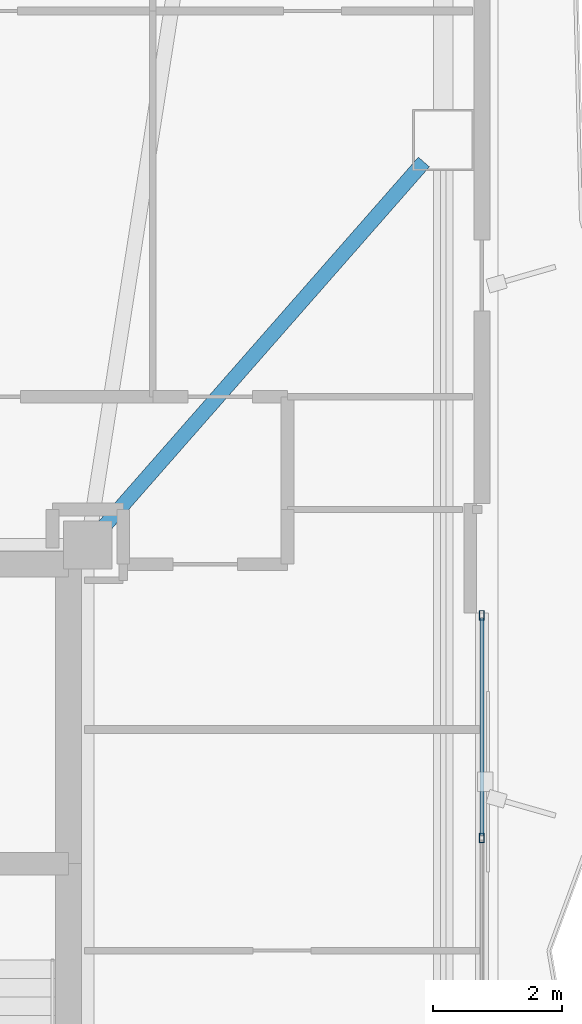
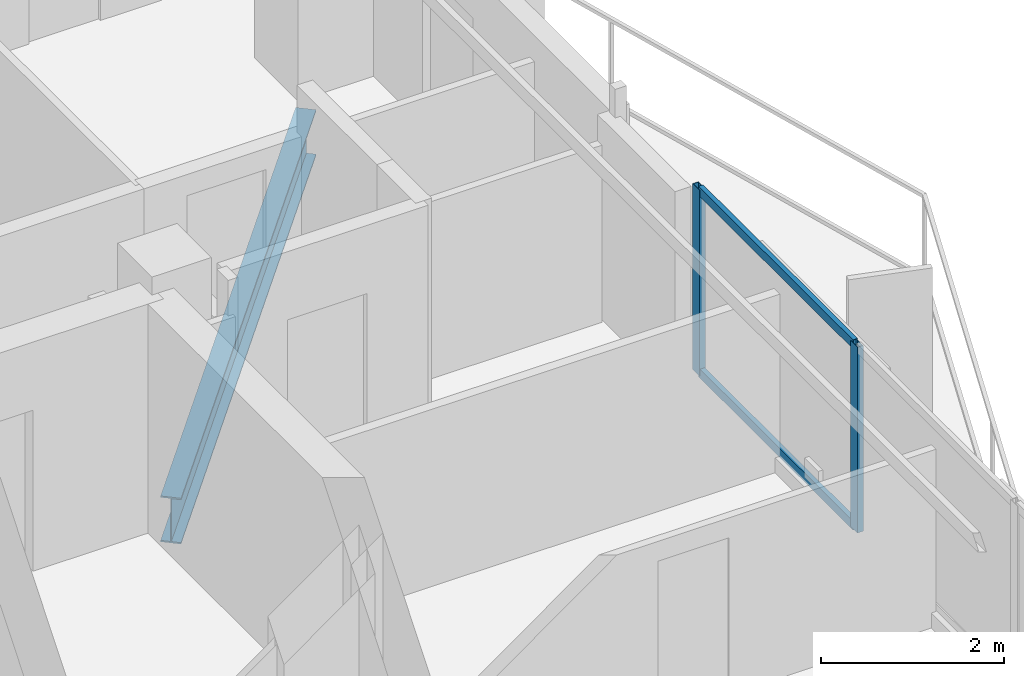
# One storey, part 9 of 18: 4 members, 1 beam, 1 element without a shape of its own.
"""IFC4 building model written with IfcOpenShell, lengths in metres."""

from ifc_helpers import new_model, si_unit, direction, frame, origin, origin_2d, place, context, subcontext, project, spatial, hollow_rectangle, i_section, extrude, material, layer, layer_set, material_profile, profile_set, type_object, element, aggregate, save


model = new_model("IFC4")

# Units and contexts
model_context = context("Model", 3, precision=1e-05, world=origin(), true_north=direction((0.0, 1.0)))
body_context = subcontext(model_context, "Body", "Model", "MODEL_VIEW")
ifc_project = project(units=[si_unit("LENGTHUNIT", "METRE"), si_unit("AREAUNIT", "SQUARE_METRE"), si_unit("VOLUMEUNIT", "CUBIC_METRE"), si_unit("PLANEANGLEUNIT", "RADIAN"), si_unit("MASSUNIT", "GRAM", prefix="KILO")], contexts=[model_context])

# Site, building, storey
site_placement = place(None, origin())
site = spatial("IfcSite", under=ifc_project, at=site_placement, CompositionType="ELEMENT")
building_placement = place(site_placement, origin())
building = spatial("IfcBuilding", under=site, at=building_placement, Name="Mersakhor Tower and Convention Hall", CompositionType="ELEMENT")
storey_placement = place(building_placement, frame((0.0, 0.0, 150.89990234375)))
storey = spatial("IfcBuildingStorey", under=building, at=storey_placement, Name="L42", CompositionType="ELEMENT", Elevation=150.89990234375)

# Beam
ifc_material_1 = material(Name="Steel S355", Category="steel")
ifc_material_profile_1 = material_profile(ifc_material_1, i_section(OverallWidth=0.22900390625, OverallDepth=0.6123046875, WebThickness=0.011962890625, FlangeThickness=0.01953125, at=origin_2d()), Name="UB 610x229x125")
ifc_profile_set_1 = profile_set([ifc_material_profile_1], Name="Steel S355")
beam_type = type_object("IfcBeamType", Name="BM-PR-610", PredefinedType="BEAM", material=ifc_profile_set_1)
beam_placement = place(storey_placement, frame((36.334228515625, 33.31689453125, -0.5458984375), z_axis=(0.65963831109, 0.751583194691, 0.0), x_axis=(-0.751583194691, 0.65963831109, 0.0)))
element("IfcBeam", 1, at=beam_placement, inside=storey, type_object=beam_type, Name="L42 Primary Floor Girder FG-3", PredefinedType="BEAM", context=body_context, shape_type="SweptSolid", body=[
    extrude(i_section(OverallWidth=0.22900390625, OverallDepth=0.6123046875, WebThickness=0.011962890625, FlangeThickness=0.01953125, at=origin_2d()), origin(), (0.0, 0.0, 1.0), 7.556884765625),
])

# Curtain wall, members
ifc_material_2 = material(Name="Dark solar low-E aluminium curtain wall", Category="aluminium")
ifc_layer = layer(ifc_material_2, 0.169921875)
ifc_layer_set = layer_set([ifc_layer], Name="Dark solar low-E aluminium curtain wall")
curtain_wall_type = type_object("IfcCurtainWallType", Name="CW-SYS-02", PredefinedType="USERDEFINED", material=ifc_layer_set)
curtain_wall_placement = place(storey_placement, origin())
curtain_wall = element("IfcCurtainWall", 2, at=curtain_wall_placement, inside=storey, type_object=curtain_wall_type, Name="L42 Dark-Glass Curtain Wall F2-B2", ObjectType="CURTAIN WALL", PredefinedType="USERDEFINED")
ifc_material_3 = material(Name="Anodised aluminium EN AW-6063 T6", Category="aluminium")
ifc_material_profile_2 = material_profile(ifc_material_3, hollow_rectangle(XDim=0.074951171875, YDim=0.14990234375, WallThickness=0.00634765625, at=origin_2d()), Name="RHS 150x75x6.3")
ifc_profile_set_2 = profile_set([ifc_material_profile_2], Name="Anodised aluminium EN AW-6063 T6")
member_type_1 = type_object("IfcMemberType", Name="CWM-150x75", PredefinedType="MULLION", material=ifc_profile_set_2)
member_1_placement = place(storey_placement, frame((42.21923828125, 31.95556640625, 0.2001953125), z_axis=(0.0, 0.0, 1.0), x_axis=(1.0, 0.0, 0.0)))
member_1 = element("IfcMember", 3, at=member_1_placement, type_object=member_type_1, Name="CW-02 mullion 1", PredefinedType="MULLION", context=body_context, shape_type="SweptSolid", body=[
    extrude(hollow_rectangle(XDim=0.074951171875, YDim=0.14990234375, WallThickness=0.00634765625, at=origin_2d()), origin(), (0.0, 0.0, 1.0), 2.47998046875),
])
member_2_placement = place(storey_placement, frame((42.21923828125, 28.49755859375, 0.2001953125), z_axis=(0.0, 0.0, 1.0), x_axis=(1.0, 0.0, 0.0)))
member_2 = element("IfcMember", 4, at=member_2_placement, type_object=member_type_1, Name="CW-02 mullion 2", PredefinedType="MULLION", context=body_context, shape_type="SweptSolid", body=[
    extrude(hollow_rectangle(XDim=0.074951171875, YDim=0.14990234375, WallThickness=0.00634765625, at=origin_2d()), origin(), (0.0, 0.0, 1.0), 2.47998046875),
])
ifc_material_4 = material(Name="Anodised aluminium EN AW-6063 T6", Category="aluminium")
ifc_material_profile_3 = material_profile(ifc_material_4, hollow_rectangle(XDim=0.06005859375, YDim=0.1201171875, WallThickness=0.0048828125, at=origin_2d()), Name="RHS 120x60x5")
ifc_profile_set_3 = profile_set([ifc_material_profile_3], Name="Anodised aluminium EN AW-6063 T6")
member_type_2 = type_object("IfcMemberType", Name="CWT-120x60", PredefinedType="USERDEFINED", material=ifc_profile_set_3)
member_3_placement = place(storey_placement, frame((42.21923828125, 31.91796875, 0.22998046875), z_axis=(0.0, -1.0, 0.0), x_axis=(1.0, 0.0, 0.0)))
member_3 = element("IfcMember", 5, at=member_3_placement, type_object=member_type_2, Name="CW-02 transom 1.1", ObjectType="TRANSOM", PredefinedType="USERDEFINED", context=body_context, shape_type="SweptSolid", body=[
    extrude(hollow_rectangle(XDim=0.06005859375, YDim=0.1201171875, WallThickness=0.0048828125, at=origin_2d()), origin(), (0.0, 0.0, 1.0), 3.3828125),
])
member_4_placement = place(storey_placement, frame((42.21923828125, 31.91796875, 2.650146484375), z_axis=(0.0, -1.0, 0.0), x_axis=(1.0, 0.0, 0.0)))
member_4 = element("IfcMember", 6, at=member_4_placement, type_object=member_type_2, Name="CW-02 transom 1.2", ObjectType="TRANSOM", PredefinedType="USERDEFINED", context=body_context, shape_type="SweptSolid", body=[
    extrude(hollow_rectangle(XDim=0.06005859375, YDim=0.1201171875, WallThickness=0.0048828125, at=origin_2d()), origin(), (0.0, 0.0, 1.0), 3.3828125),
])
aggregate(curtain_wall, [member_1, member_2, member_3, member_4])

save(model, "model.ifc")
